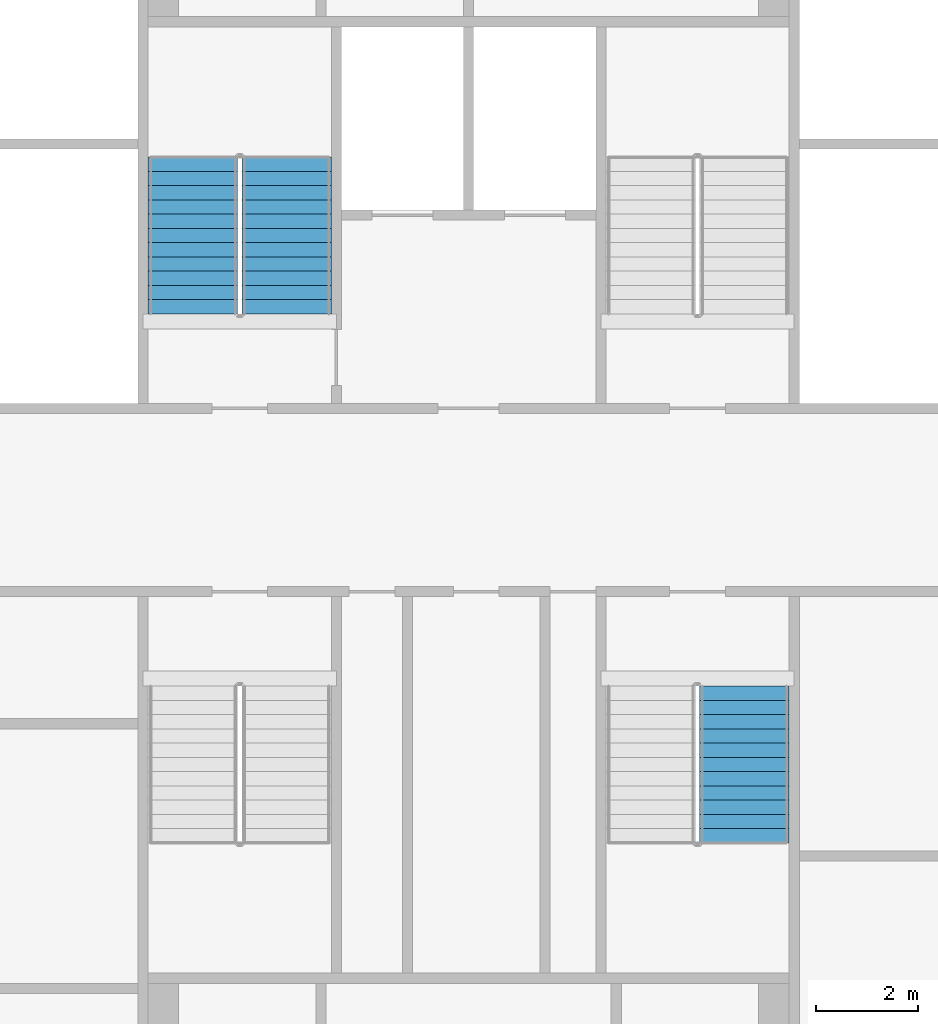
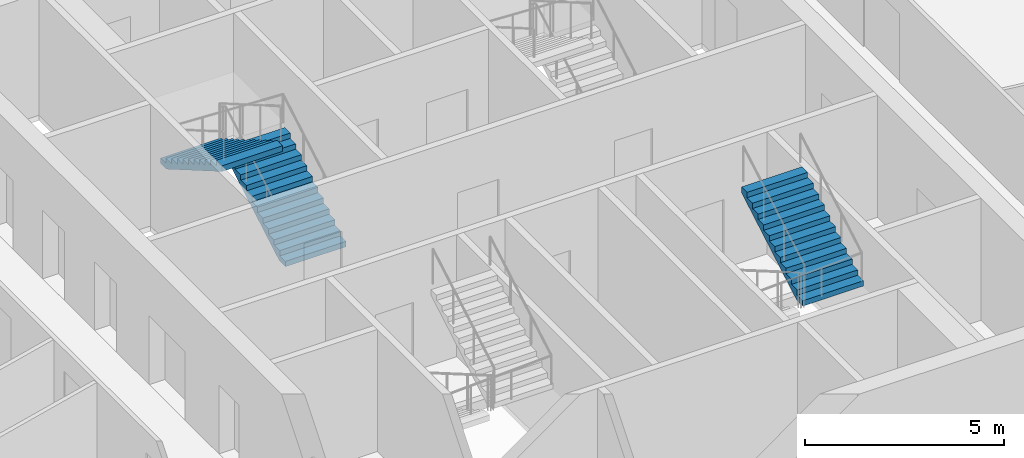
# One storey, part 8 of 14: 3 stair flights, 2 elements without a shape of their own.
"""IFC4 building model written with IfcOpenShell, lengths in metres."""

from ifc_helpers import new_model, si_unit, direction, frame, origin, place, context, subcontext, project, spatial, faceted_brep, material, type_object, element, aggregate, save


model = new_model("IFC4")

# Units and contexts
model_context = context("Model", 3, precision=1e-05, world=origin(), true_north=direction((0.0, 1.0)))
body_context = subcontext(model_context, "Body", "Model", "MODEL_VIEW")
ifc_project = project(units=[si_unit("LENGTHUNIT", "METRE"), si_unit("AREAUNIT", "SQUARE_METRE"), si_unit("VOLUMEUNIT", "CUBIC_METRE"), si_unit("PLANEANGLEUNIT", "RADIAN"), si_unit("MASSUNIT", "GRAM", prefix="KILO")], contexts=[model_context])

# Site, building, storey
site_placement = place(None, origin())
site = spatial("IfcSite", under=ifc_project, at=site_placement, CompositionType="ELEMENT")
building_placement = place(site_placement, origin())
building = spatial("IfcBuilding", under=site, at=building_placement, Name="Tarsis Ring Headquarters", CompositionType="ELEMENT")
storey_placement = place(building_placement, frame((0.0, 0.0, 343.10009765625)))
storey = spatial("IfcBuildingStorey", under=building, at=storey_placement, Name="L81", CompositionType="ELEMENT", Elevation=343.10009765625)

# Stair, stair flights
ifc_material_1 = material(Name="Core stair 1760")
stair_type = type_object("IfcStairType", Name="Core stair 1760", PredefinedType="HALF_TURN_STAIR", material=ifc_material_1)
stair_1_placement = place(storey_placement, origin())
stair_1 = element("IfcStair", 1, at=stair_1_placement, inside=storey, type_object=stair_type, Name="L81 Firefighting stair", PredefinedType="HALF_TURN_STAIR")
ifc_material_2 = material(Name="Concrete C40/50", Category="concrete")
stair_flight_type = type_object("IfcStairFlightType", Name="Core stair flight 1760", PredefinedType="STRAIGHT", material=ifc_material_2)
stair_flight_1_placement = place(storey_placement, frame((-3.580078125, 3.659912109375, 0.0), z_axis=(0.0, 0.0, 1.0), x_axis=(0.0, 1.0, 0.0)))
stair_flight_1 = element("IfcStairFlight", 2, at=stair_flight_1_placement, type_object=stair_flight_type, Name="Stair ST1 flight 1", NumberOfRisers=12, NumberOfTreads=11, PredefinedType="STRAIGHT", RiserHeight=0.1625, TreadLength=0.28, context=body_context, shape_type="Brep", body=[
    faceted_brep([(0.0, 0.8798828125, 0.0), (0.0, 0.8798828125, 0.16259765625), (0.280029296875, 0.8798828125, 0.16259765625), (0.280029296875, 0.8798828125, 0.324951171875), (0.56005859375, 0.8798828125, 0.324951171875), (0.56005859375, 0.8798828125, 0.487548828125), (0.840087890625, 0.8798828125, 0.487548828125), (0.840087890625, 0.8798828125, 0.64990234375), (1.1201171875, 0.8798828125, 0.64990234375), (1.1201171875, 0.8798828125, 0.8125), (1.39990234375, 0.8798828125, 0.8125), (1.39990234375, 0.8798828125, 0.97509765625), (1.679931640625, 0.8798828125, 0.97509765625), (1.679931640625, 0.8798828125, 1.137451171875), (1.9599609375, 0.8798828125, 1.137451171875), (1.9599609375, 0.8798828125, 1.300048828125), (2.239990234375, 0.8798828125, 1.300048828125), (2.239990234375, 0.8798828125, 1.46240234375), (2.52001953125, 0.8798828125, 1.46240234375), (2.52001953125, 0.8798828125, 1.625), (2.800048828125, 0.8798828125, 1.625), (2.800048828125, 0.8798828125, 1.78759765625), (3.080078125, 0.8798828125, 1.78759765625), (3.080078125, 0.8798828125, 1.6142578125), (0.298583984375, 0.8798828125, 0.0), (0.298583984375, -0.8798828125, 0.0), (3.080078125, -0.8798828125, 1.6142578125), (3.080078125, -0.8798828125, 1.78759765625), (2.800048828125, -0.8798828125, 1.78759765625), (2.800048828125, -0.8798828125, 1.625), (2.52001953125, -0.8798828125, 1.625), (2.52001953125, -0.8798828125, 1.46240234375), (2.239990234375, -0.8798828125, 1.46240234375), (2.239990234375, -0.8798828125, 1.300048828125), (1.9599609375, -0.8798828125, 1.300048828125), (1.9599609375, -0.8798828125, 1.137451171875), (1.679931640625, -0.8798828125, 1.137451171875), (1.679931640625, -0.8798828125, 0.97509765625), (1.39990234375, -0.8798828125, 0.97509765625), (1.39990234375, -0.8798828125, 0.8125), (1.1201171875, -0.8798828125, 0.8125), (1.1201171875, -0.8798828125, 0.64990234375), (0.840087890625, -0.8798828125, 0.64990234375), (0.840087890625, -0.8798828125, 0.487548828125), (0.56005859375, -0.8798828125, 0.487548828125), (0.56005859375, -0.8798828125, 0.324951171875), (0.280029296875, -0.8798828125, 0.324951171875), (0.280029296875, -0.8798828125, 0.16259765625), (0.0, -0.8798828125, 0.16259765625), (0.0, -0.8798828125, 0.0), (0.0, -0.43994140625, 0.16259765625), (0.0, -0.43994140625, 0.0), (0.0, 0.0, 0.16259765625), (0.0, 0.0, 0.0), (0.0, 0.43994140625, 0.16259765625), (0.0, 0.43994140625, 0.0), (0.280029296875, -0.43994140625, 0.16259765625), (0.280029296875, 0.0, 0.16259765625), (0.280029296875, 0.43994140625, 0.16259765625), (0.280029296875, -0.43994140625, 0.324951171875), (0.280029296875, 0.0, 0.324951171875), (0.280029296875, 0.43994140625, 0.324951171875), (0.56005859375, -0.43994140625, 0.324951171875), (0.56005859375, 0.0, 0.324951171875), (0.56005859375, 0.43994140625, 0.324951171875), (0.56005859375, -0.43994140625, 0.487548828125), (0.56005859375, 0.0, 0.487548828125), (0.56005859375, 0.43994140625, 0.487548828125), (0.840087890625, -0.43994140625, 0.487548828125), (0.840087890625, 0.0, 0.487548828125), (0.840087890625, 0.43994140625, 0.487548828125), (0.840087890625, -0.43994140625, 0.64990234375), (0.840087890625, 0.0, 0.64990234375), (0.840087890625, 0.43994140625, 0.64990234375), (1.1201171875, -0.43994140625, 0.64990234375), (1.1201171875, 0.0, 0.64990234375), (1.1201171875, 0.43994140625, 0.64990234375), (1.1201171875, -0.43994140625, 0.8125), (1.1201171875, 0.0, 0.8125), (1.1201171875, 0.43994140625, 0.8125), (1.39990234375, -0.43994140625, 0.8125), (1.39990234375, 0.0, 0.8125), (1.39990234375, 0.43994140625, 0.8125), (1.39990234375, -0.43994140625, 0.97509765625), (1.39990234375, 0.0, 0.97509765625), (1.39990234375, 0.43994140625, 0.97509765625), (1.679931640625, -0.43994140625, 0.97509765625), (1.679931640625, 0.0, 0.97509765625), (1.679931640625, 0.43994140625, 0.97509765625), (1.679931640625, -0.43994140625, 1.137451171875), (1.679931640625, 0.0, 1.137451171875), (1.679931640625, 0.43994140625, 1.137451171875), (1.9599609375, -0.43994140625, 1.137451171875), (1.9599609375, 0.0, 1.137451171875), (1.9599609375, 0.43994140625, 1.137451171875), (1.9599609375, -0.43994140625, 1.300048828125), (1.9599609375, 0.0, 1.300048828125), (1.9599609375, 0.43994140625, 1.300048828125), (2.239990234375, -0.43994140625, 1.300048828125), (2.239990234375, 0.0, 1.300048828125), (2.239990234375, 0.43994140625, 1.300048828125), (2.239990234375, -0.43994140625, 1.46240234375), (2.239990234375, 0.0, 1.46240234375), (2.239990234375, 0.43994140625, 1.46240234375), (2.52001953125, -0.43994140625, 1.46240234375), (2.52001953125, 0.0, 1.46240234375), (2.52001953125, 0.43994140625, 1.46240234375), (2.52001953125, -0.43994140625, 1.625), (2.52001953125, 0.0, 1.625), (2.52001953125, 0.43994140625, 1.625), (2.800048828125, -0.43994140625, 1.625), (2.800048828125, 0.0, 1.625), (2.800048828125, 0.43994140625, 1.625), (2.800048828125, -0.43994140625, 1.78759765625), (2.800048828125, 0.0, 1.78759765625), (2.800048828125, 0.43994140625, 1.78759765625), (3.080078125, -0.43994140625, 1.78759765625), (3.080078125, 0.0, 1.78759765625), (3.080078125, 0.43994140625, 1.78759765625), (3.080078125, -0.43994140625, 1.6142578125), (3.080078125, 0.0, 1.6142578125), (3.080078125, 0.43994140625, 1.6142578125), (0.298583984375, -0.43994140625, 0.0), (0.298583984375, 0.0, 0.0), (0.298583984375, 0.43994140625, 0.0)], [[[0, 1, 2, 3, 4, 5, 6, 7, 8, 9, 10, 11, 12, 13, 14, 15, 16, 17, 18, 19, 20, 21, 22, 23, 24]], [[25, 26, 27, 28, 29, 30, 31, 32, 33, 34, 35, 36, 37, 38, 39, 40, 41, 42, 43, 44, 45, 46, 47, 48, 49]], [[49, 48, 50, 51]], [[51, 50, 52, 53]], [[53, 52, 54, 55]], [[55, 54, 1, 0]], [[48, 47, 56, 50]], [[50, 56, 57, 52]], [[52, 57, 58, 54]], [[54, 58, 2, 1]], [[47, 46, 59, 56]], [[56, 59, 60, 57]], [[57, 60, 61, 58]], [[58, 61, 3, 2]], [[46, 45, 62, 59]], [[59, 62, 63, 60]], [[60, 63, 64, 61]], [[61, 64, 4, 3]], [[45, 44, 65, 62]], [[62, 65, 66, 63]], [[63, 66, 67, 64]], [[64, 67, 5, 4]], [[44, 43, 68, 65]], [[65, 68, 69, 66]], [[66, 69, 70, 67]], [[67, 70, 6, 5]], [[43, 42, 71, 68]], [[68, 71, 72, 69]], [[69, 72, 73, 70]], [[70, 73, 7, 6]], [[42, 41, 74, 71]], [[71, 74, 75, 72]], [[72, 75, 76, 73]], [[73, 76, 8, 7]], [[41, 40, 77, 74]], [[74, 77, 78, 75]], [[75, 78, 79, 76]], [[76, 79, 9, 8]], [[40, 39, 80, 77]], [[77, 80, 81, 78]], [[78, 81, 82, 79]], [[79, 82, 10, 9]], [[39, 38, 83, 80]], [[80, 83, 84, 81]], [[81, 84, 85, 82]], [[82, 85, 11, 10]], [[38, 37, 86, 83]], [[83, 86, 87, 84]], [[84, 87, 88, 85]], [[85, 88, 12, 11]], [[37, 36, 89, 86]], [[86, 89, 90, 87]], [[87, 90, 91, 88]], [[88, 91, 13, 12]], [[36, 35, 92, 89]], [[89, 92, 93, 90]], [[90, 93, 94, 91]], [[91, 94, 14, 13]], [[35, 34, 95, 92]], [[92, 95, 96, 93]], [[93, 96, 97, 94]], [[94, 97, 15, 14]], [[34, 33, 98, 95]], [[95, 98, 99, 96]], [[96, 99, 100, 97]], [[97, 100, 16, 15]], [[33, 32, 101, 98]], [[98, 101, 102, 99]], [[99, 102, 103, 100]], [[100, 103, 17, 16]], [[32, 31, 104, 101]], [[101, 104, 105, 102]], [[102, 105, 106, 103]], [[103, 106, 18, 17]], [[31, 30, 107, 104]], [[104, 107, 108, 105]], [[105, 108, 109, 106]], [[106, 109, 19, 18]], [[30, 29, 110, 107]], [[107, 110, 111, 108]], [[108, 111, 112, 109]], [[109, 112, 20, 19]], [[29, 28, 113, 110]], [[110, 113, 114, 111]], [[111, 114, 115, 112]], [[112, 115, 21, 20]], [[28, 27, 116, 113]], [[113, 116, 117, 114]], [[114, 117, 118, 115]], [[115, 118, 22, 21]], [[27, 26, 119, 116]], [[116, 119, 120, 117]], [[117, 120, 121, 118]], [[118, 121, 23, 22]], [[26, 25, 122, 119]], [[119, 122, 123, 120]], [[120, 123, 124, 121]], [[121, 124, 24, 23]], [[25, 49, 51, 122]], [[122, 51, 53, 123]], [[123, 53, 55, 124]], [[124, 55, 0, 24]]]),
])
stair_flight_2_placement = place(storey_placement, frame((-5.419921875, 6.739990234375, 1.949951171875), z_axis=(0.0, 0.0, 1.0), x_axis=(0.0, -1.0, 0.0)))
stair_flight_2 = element("IfcStairFlight", 3, at=stair_flight_2_placement, type_object=stair_flight_type, Name="Stair ST1 flight 2", NumberOfRisers=12, NumberOfTreads=11, PredefinedType="STRAIGHT", RiserHeight=0.1625, TreadLength=0.28, context=body_context, shape_type="Brep", body=[
    faceted_brep([(0.0, 0.8798828125, 0.0), (0.0, 0.8798828125, 0.16259765625), (0.280029296875, 0.8798828125, 0.16259765625), (0.280029296875, 0.8798828125, 0.324951171875), (0.56005859375, 0.8798828125, 0.324951171875), (0.56005859375, 0.8798828125, 0.487548828125), (0.840087890625, 0.8798828125, 0.487548828125), (0.840087890625, 0.8798828125, 0.64990234375), (1.1201171875, 0.8798828125, 0.64990234375), (1.1201171875, 0.8798828125, 0.8125), (1.39990234375, 0.8798828125, 0.8125), (1.39990234375, 0.8798828125, 0.97509765625), (1.679931640625, 0.8798828125, 0.97509765625), (1.679931640625, 0.8798828125, 1.137451171875), (1.9599609375, 0.8798828125, 1.137451171875), (1.9599609375, 0.8798828125, 1.300048828125), (2.239990234375, 0.8798828125, 1.300048828125), (2.239990234375, 0.8798828125, 1.46240234375), (2.52001953125, 0.8798828125, 1.46240234375), (2.52001953125, 0.8798828125, 1.625), (2.800048828125, 0.8798828125, 1.625), (2.800048828125, 0.8798828125, 1.78759765625), (3.080078125, 0.8798828125, 1.78759765625), (3.080078125, 0.8798828125, 1.6142578125), (0.298583984375, 0.8798828125, 0.0), (0.298583984375, -0.8798828125, 0.0), (3.080078125, -0.8798828125, 1.6142578125), (3.080078125, -0.8798828125, 1.78759765625), (2.800048828125, -0.8798828125, 1.78759765625), (2.800048828125, -0.8798828125, 1.625), (2.52001953125, -0.8798828125, 1.625), (2.52001953125, -0.8798828125, 1.46240234375), (2.239990234375, -0.8798828125, 1.46240234375), (2.239990234375, -0.8798828125, 1.300048828125), (1.9599609375, -0.8798828125, 1.300048828125), (1.9599609375, -0.8798828125, 1.137451171875), (1.679931640625, -0.8798828125, 1.137451171875), (1.679931640625, -0.8798828125, 0.97509765625), (1.39990234375, -0.8798828125, 0.97509765625), (1.39990234375, -0.8798828125, 0.8125), (1.1201171875, -0.8798828125, 0.8125), (1.1201171875, -0.8798828125, 0.64990234375), (0.840087890625, -0.8798828125, 0.64990234375), (0.840087890625, -0.8798828125, 0.487548828125), (0.56005859375, -0.8798828125, 0.487548828125), (0.56005859375, -0.8798828125, 0.324951171875), (0.280029296875, -0.8798828125, 0.324951171875), (0.280029296875, -0.8798828125, 0.16259765625), (0.0, -0.8798828125, 0.16259765625), (0.0, -0.8798828125, 0.0), (0.0, -0.43994140625, 0.16259765625), (0.0, -0.43994140625, 0.0), (0.0, 0.0, 0.16259765625), (0.0, 0.0, 0.0), (0.0, 0.43994140625, 0.16259765625), (0.0, 0.43994140625, 0.0), (0.280029296875, -0.43994140625, 0.16259765625), (0.280029296875, 0.0, 0.16259765625), (0.280029296875, 0.43994140625, 0.16259765625), (0.280029296875, -0.43994140625, 0.324951171875), (0.280029296875, 0.0, 0.324951171875), (0.280029296875, 0.43994140625, 0.324951171875), (0.56005859375, -0.43994140625, 0.324951171875), (0.56005859375, 0.0, 0.324951171875), (0.56005859375, 0.43994140625, 0.324951171875), (0.56005859375, -0.43994140625, 0.487548828125), (0.56005859375, 0.0, 0.487548828125), (0.56005859375, 0.43994140625, 0.487548828125), (0.840087890625, -0.43994140625, 0.487548828125), (0.840087890625, 0.0, 0.487548828125), (0.840087890625, 0.43994140625, 0.487548828125), (0.840087890625, -0.43994140625, 0.64990234375), (0.840087890625, 0.0, 0.64990234375), (0.840087890625, 0.43994140625, 0.64990234375), (1.1201171875, -0.43994140625, 0.64990234375), (1.1201171875, 0.0, 0.64990234375), (1.1201171875, 0.43994140625, 0.64990234375), (1.1201171875, -0.43994140625, 0.8125), (1.1201171875, 0.0, 0.8125), (1.1201171875, 0.43994140625, 0.8125), (1.39990234375, -0.43994140625, 0.8125), (1.39990234375, 0.0, 0.8125), (1.39990234375, 0.43994140625, 0.8125), (1.39990234375, -0.43994140625, 0.97509765625), (1.39990234375, 0.0, 0.97509765625), (1.39990234375, 0.43994140625, 0.97509765625), (1.679931640625, -0.43994140625, 0.97509765625), (1.679931640625, 0.0, 0.97509765625), (1.679931640625, 0.43994140625, 0.97509765625), (1.679931640625, -0.43994140625, 1.137451171875), (1.679931640625, 0.0, 1.137451171875), (1.679931640625, 0.43994140625, 1.137451171875), (1.9599609375, -0.43994140625, 1.137451171875), (1.9599609375, 0.0, 1.137451171875), (1.9599609375, 0.43994140625, 1.137451171875), (1.9599609375, -0.43994140625, 1.300048828125), (1.9599609375, 0.0, 1.300048828125), (1.9599609375, 0.43994140625, 1.300048828125), (2.239990234375, -0.43994140625, 1.300048828125), (2.239990234375, 0.0, 1.300048828125), (2.239990234375, 0.43994140625, 1.300048828125), (2.239990234375, -0.43994140625, 1.46240234375), (2.239990234375, 0.0, 1.46240234375), (2.239990234375, 0.43994140625, 1.46240234375), (2.52001953125, -0.43994140625, 1.46240234375), (2.52001953125, 0.0, 1.46240234375), (2.52001953125, 0.43994140625, 1.46240234375), (2.52001953125, -0.43994140625, 1.625), (2.52001953125, 0.0, 1.625), (2.52001953125, 0.43994140625, 1.625), (2.800048828125, -0.43994140625, 1.625), (2.800048828125, 0.0, 1.625), (2.800048828125, 0.43994140625, 1.625), (2.800048828125, -0.43994140625, 1.78759765625), (2.800048828125, 0.0, 1.78759765625), (2.800048828125, 0.43994140625, 1.78759765625), (3.080078125, -0.43994140625, 1.78759765625), (3.080078125, 0.0, 1.78759765625), (3.080078125, 0.43994140625, 1.78759765625), (3.080078125, -0.43994140625, 1.6142578125), (3.080078125, 0.0, 1.6142578125), (3.080078125, 0.43994140625, 1.6142578125), (0.298583984375, -0.43994140625, 0.0), (0.298583984375, 0.0, 0.0), (0.298583984375, 0.43994140625, 0.0)], [[[0, 1, 2, 3, 4, 5, 6, 7, 8, 9, 10, 11, 12, 13, 14, 15, 16, 17, 18, 19, 20, 21, 22, 23, 24]], [[25, 26, 27, 28, 29, 30, 31, 32, 33, 34, 35, 36, 37, 38, 39, 40, 41, 42, 43, 44, 45, 46, 47, 48, 49]], [[49, 48, 50, 51]], [[51, 50, 52, 53]], [[53, 52, 54, 55]], [[55, 54, 1, 0]], [[48, 47, 56, 50]], [[50, 56, 57, 52]], [[52, 57, 58, 54]], [[54, 58, 2, 1]], [[47, 46, 59, 56]], [[56, 59, 60, 57]], [[57, 60, 61, 58]], [[58, 61, 3, 2]], [[46, 45, 62, 59]], [[59, 62, 63, 60]], [[60, 63, 64, 61]], [[61, 64, 4, 3]], [[45, 44, 65, 62]], [[62, 65, 66, 63]], [[63, 66, 67, 64]], [[64, 67, 5, 4]], [[44, 43, 68, 65]], [[65, 68, 69, 66]], [[66, 69, 70, 67]], [[67, 70, 6, 5]], [[43, 42, 71, 68]], [[68, 71, 72, 69]], [[69, 72, 73, 70]], [[70, 73, 7, 6]], [[42, 41, 74, 71]], [[71, 74, 75, 72]], [[72, 75, 76, 73]], [[73, 76, 8, 7]], [[41, 40, 77, 74]], [[74, 77, 78, 75]], [[75, 78, 79, 76]], [[76, 79, 9, 8]], [[40, 39, 80, 77]], [[77, 80, 81, 78]], [[78, 81, 82, 79]], [[79, 82, 10, 9]], [[39, 38, 83, 80]], [[80, 83, 84, 81]], [[81, 84, 85, 82]], [[82, 85, 11, 10]], [[38, 37, 86, 83]], [[83, 86, 87, 84]], [[84, 87, 88, 85]], [[85, 88, 12, 11]], [[37, 36, 89, 86]], [[86, 89, 90, 87]], [[87, 90, 91, 88]], [[88, 91, 13, 12]], [[36, 35, 92, 89]], [[89, 92, 93, 90]], [[90, 93, 94, 91]], [[91, 94, 14, 13]], [[35, 34, 95, 92]], [[92, 95, 96, 93]], [[93, 96, 97, 94]], [[94, 97, 15, 14]], [[34, 33, 98, 95]], [[95, 98, 99, 96]], [[96, 99, 100, 97]], [[97, 100, 16, 15]], [[33, 32, 101, 98]], [[98, 101, 102, 99]], [[99, 102, 103, 100]], [[100, 103, 17, 16]], [[32, 31, 104, 101]], [[101, 104, 105, 102]], [[102, 105, 106, 103]], [[103, 106, 18, 17]], [[31, 30, 107, 104]], [[104, 107, 108, 105]], [[105, 108, 109, 106]], [[106, 109, 19, 18]], [[30, 29, 110, 107]], [[107, 110, 111, 108]], [[108, 111, 112, 109]], [[109, 112, 20, 19]], [[29, 28, 113, 110]], [[110, 113, 114, 111]], [[111, 114, 115, 112]], [[112, 115, 21, 20]], [[28, 27, 116, 113]], [[113, 116, 117, 114]], [[114, 117, 118, 115]], [[115, 118, 22, 21]], [[27, 26, 119, 116]], [[116, 119, 120, 117]], [[117, 120, 121, 118]], [[118, 121, 23, 22]], [[26, 25, 122, 119]], [[119, 122, 123, 120]], [[120, 123, 124, 121]], [[121, 124, 24, 23]], [[25, 49, 51, 122]], [[122, 51, 53, 123]], [[123, 53, 55, 124]], [[124, 55, 0, 24]]]),
])
aggregate(stair_1, [stair_flight_1, stair_flight_2])

# Stair, stair flight
stair_2_placement = place(storey_placement, origin())
stair_2 = element("IfcStair", 4, at=stair_2_placement, inside=storey, type_object=stair_type, Name="L81 Exit stair D", PredefinedType="HALF_TURN_STAIR")
stair_flight_3_placement = place(storey_placement, frame((5.419921875, -6.739990234375, 1.949951171875), z_axis=(0.0, 0.0, 1.0), x_axis=(0.0, 1.0, 0.0)))
stair_flight_3 = element("IfcStairFlight", 5, at=stair_flight_3_placement, type_object=stair_flight_type, Name="Stair ST4 flight 2", NumberOfRisers=12, NumberOfTreads=11, PredefinedType="STRAIGHT", RiserHeight=0.1625, TreadLength=0.28, context=body_context, shape_type="Brep", body=[
    faceted_brep([(0.0, 0.8798828125, 0.0), (0.0, 0.8798828125, 0.16259765625), (0.280029296875, 0.8798828125, 0.16259765625), (0.280029296875, 0.8798828125, 0.324951171875), (0.56005859375, 0.8798828125, 0.324951171875), (0.56005859375, 0.8798828125, 0.487548828125), (0.840087890625, 0.8798828125, 0.487548828125), (0.840087890625, 0.8798828125, 0.64990234375), (1.1201171875, 0.8798828125, 0.64990234375), (1.1201171875, 0.8798828125, 0.8125), (1.39990234375, 0.8798828125, 0.8125), (1.39990234375, 0.8798828125, 0.97509765625), (1.679931640625, 0.8798828125, 0.97509765625), (1.679931640625, 0.8798828125, 1.137451171875), (1.9599609375, 0.8798828125, 1.137451171875), (1.9599609375, 0.8798828125, 1.300048828125), (2.239990234375, 0.8798828125, 1.300048828125), (2.239990234375, 0.8798828125, 1.46240234375), (2.52001953125, 0.8798828125, 1.46240234375), (2.52001953125, 0.8798828125, 1.625), (2.800048828125, 0.8798828125, 1.625), (2.800048828125, 0.8798828125, 1.78759765625), (3.080078125, 0.8798828125, 1.78759765625), (3.080078125, 0.8798828125, 1.6142578125), (0.298583984375, 0.8798828125, 0.0), (0.298583984375, -0.8798828125, 0.0), (3.080078125, -0.8798828125, 1.6142578125), (3.080078125, -0.8798828125, 1.78759765625), (2.800048828125, -0.8798828125, 1.78759765625), (2.800048828125, -0.8798828125, 1.625), (2.52001953125, -0.8798828125, 1.625), (2.52001953125, -0.8798828125, 1.46240234375), (2.239990234375, -0.8798828125, 1.46240234375), (2.239990234375, -0.8798828125, 1.300048828125), (1.9599609375, -0.8798828125, 1.300048828125), (1.9599609375, -0.8798828125, 1.137451171875), (1.679931640625, -0.8798828125, 1.137451171875), (1.679931640625, -0.8798828125, 0.97509765625), (1.39990234375, -0.8798828125, 0.97509765625), (1.39990234375, -0.8798828125, 0.8125), (1.1201171875, -0.8798828125, 0.8125), (1.1201171875, -0.8798828125, 0.64990234375), (0.840087890625, -0.8798828125, 0.64990234375), (0.840087890625, -0.8798828125, 0.487548828125), (0.56005859375, -0.8798828125, 0.487548828125), (0.56005859375, -0.8798828125, 0.324951171875), (0.280029296875, -0.8798828125, 0.324951171875), (0.280029296875, -0.8798828125, 0.16259765625), (0.0, -0.8798828125, 0.16259765625), (0.0, -0.8798828125, 0.0), (0.0, -0.43994140625, 0.16259765625), (0.0, -0.43994140625, 0.0), (0.0, 0.0, 0.16259765625), (0.0, 0.0, 0.0), (0.0, 0.43994140625, 0.16259765625), (0.0, 0.43994140625, 0.0), (0.280029296875, -0.43994140625, 0.16259765625), (0.280029296875, 0.0, 0.16259765625), (0.280029296875, 0.43994140625, 0.16259765625), (0.280029296875, -0.43994140625, 0.324951171875), (0.280029296875, 0.0, 0.324951171875), (0.280029296875, 0.43994140625, 0.324951171875), (0.56005859375, -0.43994140625, 0.324951171875), (0.56005859375, 0.0, 0.324951171875), (0.56005859375, 0.43994140625, 0.324951171875), (0.56005859375, -0.43994140625, 0.487548828125), (0.56005859375, 0.0, 0.487548828125), (0.56005859375, 0.43994140625, 0.487548828125), (0.840087890625, -0.43994140625, 0.487548828125), (0.840087890625, 0.0, 0.487548828125), (0.840087890625, 0.43994140625, 0.487548828125), (0.840087890625, -0.43994140625, 0.64990234375), (0.840087890625, 0.0, 0.64990234375), (0.840087890625, 0.43994140625, 0.64990234375), (1.1201171875, -0.43994140625, 0.64990234375), (1.1201171875, 0.0, 0.64990234375), (1.1201171875, 0.43994140625, 0.64990234375), (1.1201171875, -0.43994140625, 0.8125), (1.1201171875, 0.0, 0.8125), (1.1201171875, 0.43994140625, 0.8125), (1.39990234375, -0.43994140625, 0.8125), (1.39990234375, 0.0, 0.8125), (1.39990234375, 0.43994140625, 0.8125), (1.39990234375, -0.43994140625, 0.97509765625), (1.39990234375, 0.0, 0.97509765625), (1.39990234375, 0.43994140625, 0.97509765625), (1.679931640625, -0.43994140625, 0.97509765625), (1.679931640625, 0.0, 0.97509765625), (1.679931640625, 0.43994140625, 0.97509765625), (1.679931640625, -0.43994140625, 1.137451171875), (1.679931640625, 0.0, 1.137451171875), (1.679931640625, 0.43994140625, 1.137451171875), (1.9599609375, -0.43994140625, 1.137451171875), (1.9599609375, 0.0, 1.137451171875), (1.9599609375, 0.43994140625, 1.137451171875), (1.9599609375, -0.43994140625, 1.300048828125), (1.9599609375, 0.0, 1.300048828125), (1.9599609375, 0.43994140625, 1.300048828125), (2.239990234375, -0.43994140625, 1.300048828125), (2.239990234375, 0.0, 1.300048828125), (2.239990234375, 0.43994140625, 1.300048828125), (2.239990234375, -0.43994140625, 1.46240234375), (2.239990234375, 0.0, 1.46240234375), (2.239990234375, 0.43994140625, 1.46240234375), (2.52001953125, -0.43994140625, 1.46240234375), (2.52001953125, 0.0, 1.46240234375), (2.52001953125, 0.43994140625, 1.46240234375), (2.52001953125, -0.43994140625, 1.625), (2.52001953125, 0.0, 1.625), (2.52001953125, 0.43994140625, 1.625), (2.800048828125, -0.43994140625, 1.625), (2.800048828125, 0.0, 1.625), (2.800048828125, 0.43994140625, 1.625), (2.800048828125, -0.43994140625, 1.78759765625), (2.800048828125, 0.0, 1.78759765625), (2.800048828125, 0.43994140625, 1.78759765625), (3.080078125, -0.43994140625, 1.78759765625), (3.080078125, 0.0, 1.78759765625), (3.080078125, 0.43994140625, 1.78759765625), (3.080078125, -0.43994140625, 1.6142578125), (3.080078125, 0.0, 1.6142578125), (3.080078125, 0.43994140625, 1.6142578125), (0.298583984375, -0.43994140625, 0.0), (0.298583984375, 0.0, 0.0), (0.298583984375, 0.43994140625, 0.0)], [[[0, 1, 2, 3, 4, 5, 6, 7, 8, 9, 10, 11, 12, 13, 14, 15, 16, 17, 18, 19, 20, 21, 22, 23, 24]], [[25, 26, 27, 28, 29, 30, 31, 32, 33, 34, 35, 36, 37, 38, 39, 40, 41, 42, 43, 44, 45, 46, 47, 48, 49]], [[49, 48, 50, 51]], [[51, 50, 52, 53]], [[53, 52, 54, 55]], [[55, 54, 1, 0]], [[48, 47, 56, 50]], [[50, 56, 57, 52]], [[52, 57, 58, 54]], [[54, 58, 2, 1]], [[47, 46, 59, 56]], [[56, 59, 60, 57]], [[57, 60, 61, 58]], [[58, 61, 3, 2]], [[46, 45, 62, 59]], [[59, 62, 63, 60]], [[60, 63, 64, 61]], [[61, 64, 4, 3]], [[45, 44, 65, 62]], [[62, 65, 66, 63]], [[63, 66, 67, 64]], [[64, 67, 5, 4]], [[44, 43, 68, 65]], [[65, 68, 69, 66]], [[66, 69, 70, 67]], [[67, 70, 6, 5]], [[43, 42, 71, 68]], [[68, 71, 72, 69]], [[69, 72, 73, 70]], [[70, 73, 7, 6]], [[42, 41, 74, 71]], [[71, 74, 75, 72]], [[72, 75, 76, 73]], [[73, 76, 8, 7]], [[41, 40, 77, 74]], [[74, 77, 78, 75]], [[75, 78, 79, 76]], [[76, 79, 9, 8]], [[40, 39, 80, 77]], [[77, 80, 81, 78]], [[78, 81, 82, 79]], [[79, 82, 10, 9]], [[39, 38, 83, 80]], [[80, 83, 84, 81]], [[81, 84, 85, 82]], [[82, 85, 11, 10]], [[38, 37, 86, 83]], [[83, 86, 87, 84]], [[84, 87, 88, 85]], [[85, 88, 12, 11]], [[37, 36, 89, 86]], [[86, 89, 90, 87]], [[87, 90, 91, 88]], [[88, 91, 13, 12]], [[36, 35, 92, 89]], [[89, 92, 93, 90]], [[90, 93, 94, 91]], [[91, 94, 14, 13]], [[35, 34, 95, 92]], [[92, 95, 96, 93]], [[93, 96, 97, 94]], [[94, 97, 15, 14]], [[34, 33, 98, 95]], [[95, 98, 99, 96]], [[96, 99, 100, 97]], [[97, 100, 16, 15]], [[33, 32, 101, 98]], [[98, 101, 102, 99]], [[99, 102, 103, 100]], [[100, 103, 17, 16]], [[32, 31, 104, 101]], [[101, 104, 105, 102]], [[102, 105, 106, 103]], [[103, 106, 18, 17]], [[31, 30, 107, 104]], [[104, 107, 108, 105]], [[105, 108, 109, 106]], [[106, 109, 19, 18]], [[30, 29, 110, 107]], [[107, 110, 111, 108]], [[108, 111, 112, 109]], [[109, 112, 20, 19]], [[29, 28, 113, 110]], [[110, 113, 114, 111]], [[111, 114, 115, 112]], [[112, 115, 21, 20]], [[28, 27, 116, 113]], [[113, 116, 117, 114]], [[114, 117, 118, 115]], [[115, 118, 22, 21]], [[27, 26, 119, 116]], [[116, 119, 120, 117]], [[117, 120, 121, 118]], [[118, 121, 23, 22]], [[26, 25, 122, 119]], [[119, 122, 123, 120]], [[120, 123, 124, 121]], [[121, 124, 24, 23]], [[25, 49, 51, 122]], [[122, 51, 53, 123]], [[123, 53, 55, 124]], [[124, 55, 0, 24]]]),
])
aggregate(stair_2, [stair_flight_3])

save(model, "model.ifc")
